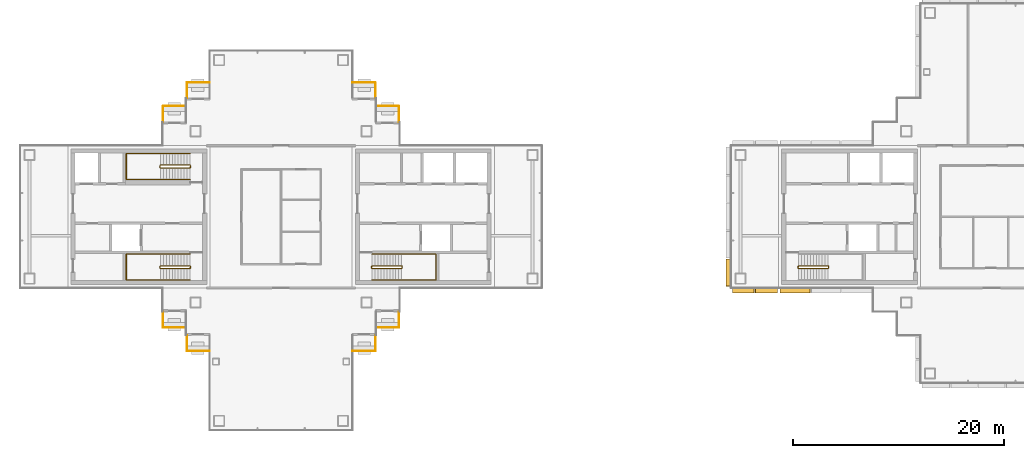
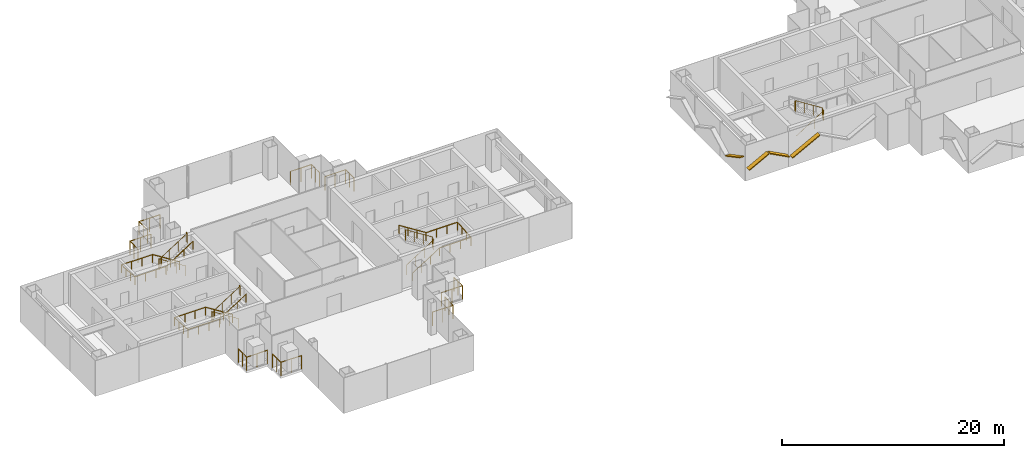
# One storey, part 14 of 17: 15 railings, 4 shading devices.
"""IFC4 building model written with IfcOpenShell, lengths in metres."""

from ifc_helpers import new_model, si_unit, direction, frame, origin, origin_2d, place, context, subcontext, project, spatial, rectangle, circle, extrude, material, material_profile, profile_set, type_object, element, save


model = new_model("IFC4")

# Units and contexts
model_context = context("Model", 3, precision=1e-05, world=origin(), true_north=direction((0.0, 1.0)))
body_context = subcontext(model_context, "Body", "Model", "MODEL_VIEW")
ifc_project = project(units=[si_unit("LENGTHUNIT", "METRE"), si_unit("AREAUNIT", "SQUARE_METRE"), si_unit("VOLUMEUNIT", "CUBIC_METRE"), si_unit("PLANEANGLEUNIT", "RADIAN"), si_unit("MASSUNIT", "GRAM", prefix="KILO")], contexts=[model_context])

# Site, building, storey
site_placement = place(None, origin())
site = spatial("IfcSite", under=ifc_project, at=site_placement, CompositionType="ELEMENT")
building_placement = place(site_placement, origin())
building = spatial("IfcBuilding", under=site, at=building_placement, Name="Shamsa Quay Exchange Towers", CompositionType="ELEMENT")
storey_placement = place(building_placement, frame((0.0, 0.0, 217.800048828125)))
storey = spatial("IfcBuildingStorey", under=building, at=storey_placement, Name="L52", CompositionType="ELEMENT", Elevation=217.800048828125)

# Railings
ifc_material_1 = material(Name="Steel S355, black powder-coated", Category="steel")
railing_type_1 = type_object("IfcRailingType", Name="BALCONY GUARD 1500", PredefinedType="GUARDRAIL", material=ifc_material_1)
for number, where, name in (
    (1, (-22.550048828125, 9.02099609375, 0.0), "Balcony guard T1-PKEN L52"),
    (2, (-24.800048828125, 11.27099609375, 0.0), "Balcony guard T1-PKEN L52"),
):
    element("IfcRailing", number, at=place(storey_placement, frame(where)), inside=storey, type_object=railing_type_1, Name=name, PredefinedType="GUARDRAIL", context=body_context, shape_type="SweptSolid", body=[
        extrude(circle(Radius=0.02392578125, at=origin_2d()), frame((0.0, 0.0, 1.47607421875), z_axis=(0.0, 1.0, 0.0), x_axis=(-1.0, 0.0, 0.0)), (0.0, 0.0, 1.0), 1.47900390625),
        extrude(circle(Radius=0.02392578125, at=origin_2d()), frame((0.0, 1.47900390625, 1.47607421875), z_axis=(-1.0, 0.0, 0.0), x_axis=(0.0, -1.0, 0.0)), (0.0, 0.0, 1.0), 2.161865234375),
        extrude(circle(Radius=0.02099609375, at=origin_2d()), origin(), (0.0, 0.0, 1.0), 1.451904296875),
        extrude(circle(Radius=0.02099609375, at=origin_2d()), frame((0.0, 0.739501953125, 0.0)), (0.0, 0.0, 1.0), 1.451904296875),
        extrude(circle(Radius=0.02099609375, at=origin_2d()), frame((0.0, 1.47900390625, 0.0)), (0.0, 0.0, 1.0), 1.451904296875),
        extrude(circle(Radius=0.02099609375, at=origin_2d()), frame((-1.0810546875, 1.47900390625, 0.0)), (0.0, 0.0, 1.0), 1.451904296875),
        extrude(circle(Radius=0.02099609375, at=origin_2d()), frame((-2.161865234375, 1.47900390625, 0.0)), (0.0, 0.0, 1.0), 1.451904296875),
    ])
for number, where, name in (
    (3, (-24.7119140625, -10.5, 0.0), "Balcony guard T1-PKES L52"),
    (4, (-26.9619140625, -12.75, 0.0), "Balcony guard T1-PKES L52"),
):
    element("IfcRailing", number, at=place(storey_placement, frame(where)), inside=storey, type_object=railing_type_1, Name=name, PredefinedType="GUARDRAIL", context=body_context, shape_type="SweptSolid", body=[
        extrude(circle(Radius=0.02392578125, at=origin_2d()), frame((0.0, 0.0, 1.47607421875), z_axis=(1.0, 0.0, 0.0), x_axis=(0.0, 1.0, 0.0)), (0.0, 0.0, 1.0), 2.161865234375),
        extrude(circle(Radius=0.02392578125, at=origin_2d()), frame((2.161865234375, 0.0, 1.47607421875), z_axis=(0.0, 1.0, 0.0), x_axis=(-1.0, 0.0, 0.0)), (0.0, 0.0, 1.0), 1.47900390625),
        extrude(circle(Radius=0.02099609375, at=origin_2d()), origin(), (0.0, 0.0, 1.0), 1.451904296875),
        extrude(circle(Radius=0.02099609375, at=origin_2d()), frame((1.0810546875, 0.0, 0.0)), (0.0, 0.0, 1.0), 1.451904296875),
        extrude(circle(Radius=0.02099609375, at=origin_2d()), frame((2.161865234375, 0.0, 0.0)), (0.0, 0.0, 1.0), 1.451904296875),
        extrude(circle(Radius=0.02099609375, at=origin_2d()), frame((2.161865234375, 0.739501953125, 0.0)), (0.0, 0.0, 1.0), 1.451904296875),
        extrude(circle(Radius=0.02099609375, at=origin_2d()), frame((2.161865234375, 1.47900390625, 0.0)), (0.0, 0.0, 1.0), 1.451904296875),
    ])
for number, where, name in (
    (5, (-40.5380859375, 12.75, 0.0), "Balcony guard T1-PKWN L52"),
    (6, (-42.7880859375, 10.5, 0.0), "Balcony guard T1-PKWN L52"),
):
    element("IfcRailing", number, at=place(storey_placement, frame(where)), inside=storey, type_object=railing_type_1, Name=name, PredefinedType="GUARDRAIL", context=body_context, shape_type="SweptSolid", body=[
        extrude(circle(Radius=0.02392578125, at=origin_2d()), frame((0.0, 0.0, 1.47607421875), z_axis=(-1.0, 0.0, 0.0), x_axis=(0.0, -1.0, 0.0)), (0.0, 0.0, 1.0), 2.161865234375),
        extrude(circle(Radius=0.02392578125, at=origin_2d()), frame((-2.161865234375, 0.0, 1.47607421875), z_axis=(0.0, -1.0, 0.0), x_axis=(1.0, 0.0, 0.0)), (0.0, 0.0, 1.0), 1.47900390625),
        extrude(circle(Radius=0.02099609375, at=origin_2d()), origin(), (0.0, 0.0, 1.0), 1.451904296875),
        extrude(circle(Radius=0.02099609375, at=origin_2d()), frame((-1.0810546875, 0.0, 0.0)), (0.0, 0.0, 1.0), 1.451904296875),
        extrude(circle(Radius=0.02099609375, at=origin_2d()), frame((-2.161865234375, 0.0, 0.0)), (0.0, 0.0, 1.0), 1.451904296875),
        extrude(circle(Radius=0.02099609375, at=origin_2d()), frame((-2.161865234375, -0.739501953125, 0.0)), (0.0, 0.0, 1.0), 1.451904296875),
        extrude(circle(Radius=0.02099609375, at=origin_2d()), frame((-2.161865234375, -1.47900390625, 0.0)), (0.0, 0.0, 1.0), 1.451904296875),
    ])
for number, where, name in (
    (7, (-44.949951171875, -9.02099609375, 0.0), "Balcony guard T1-PKWS L52"),
    (8, (-42.699951171875, -11.27099609375, 0.0), "Balcony guard T1-PKWS L52"),
):
    element("IfcRailing", number, at=place(storey_placement, frame(where)), inside=storey, type_object=railing_type_1, Name=name, PredefinedType="GUARDRAIL", context=body_context, shape_type="SweptSolid", body=[
        extrude(circle(Radius=0.02392578125, at=origin_2d()), frame((0.0, 0.0, 1.47607421875), z_axis=(0.0, -1.0, 0.0), x_axis=(1.0, 0.0, 0.0)), (0.0, 0.0, 1.0), 1.47900390625),
        extrude(circle(Radius=0.02392578125, at=origin_2d()), frame((0.0, -1.47900390625, 1.47607421875), z_axis=(1.0, 0.0, 0.0), x_axis=(0.0, 1.0, 0.0)), (0.0, 0.0, 1.0), 2.161865234375),
        extrude(circle(Radius=0.02099609375, at=origin_2d()), origin(), (0.0, 0.0, 1.0), 1.451904296875),
        extrude(circle(Radius=0.02099609375, at=origin_2d()), frame((0.0, -0.739501953125, 0.0)), (0.0, 0.0, 1.0), 1.451904296875),
        extrude(circle(Radius=0.02099609375, at=origin_2d()), frame((0.0, -1.47900390625, 0.0)), (0.0, 0.0, 1.0), 1.451904296875),
        extrude(circle(Radius=0.02099609375, at=origin_2d()), frame((1.0810546875, -1.47900390625, 0.0)), (0.0, 0.0, 1.0), 1.451904296875),
        extrude(circle(Radius=0.02099609375, at=origin_2d()), frame((2.161865234375, -1.47900390625, 0.0)), (0.0, 0.0, 1.0), 1.451904296875),
    ])

# Shading devices
ifc_material_2 = material(Name="Aluminium EN AW-6063 T6, black anodised", Category="aluminium")
ifc_material_profile = material_profile(ifc_material_2, rectangle(XDim=0.449951171875, YDim=0.10009765625, at=origin_2d()), Name="FIN450x100")
ifc_profile_set = profile_set([ifc_material_profile], Name="Aluminium EN AW-6063 T6, black anodised")
shading_device_type = type_object("IfcShadingDeviceType", Name="FIN 450x100 BLACK ALUMINIUM", PredefinedType="USERDEFINED", material=ifc_profile_set)
shading_device_1_placement = place(storey_placement, frame((8.735107421875, -4.010009765625, 0.911376953125), z_axis=(0.0, -0.882944327895, 0.469477703238), x_axis=(1.0, 0.0, 0.0)))
element("IfcShadingDevice", 9, at=shading_device_1_placement, inside=storey, type_object=shading_device_type, Name="FIN T2 chevron rib", ObjectType="FIN", PredefinedType="USERDEFINED", context=body_context, shape_type="SweptSolid", body=[
    extrude(rectangle(XDim=0.449951171875, YDim=0.10009765625, at=origin_2d()), origin(), (0.0, 0.0, 1.0), 2.933349609375),
])
for number, where, z_axis, x_axis, name in (
    (10, (9.14990234375, -7.014892578125, 1.054931640625), (0.882937310539, 0.0, 0.469490900507), (0.0, 1.0, 0.0), "FIN T2 chevron rib"),
    (11, (11.300048828125, -7.014892578125, 2.14501953125), (0.882937310539, 0.0, -0.469490900507), (0.0, 1.0, 0.0), "FIN T2 chevron rib"),
):
    element("IfcShadingDevice", number, at=place(storey_placement, frame(where, z_axis=z_axis, x_axis=x_axis)), inside=storey, type_object=shading_device_type, Name=name, ObjectType="FIN", PredefinedType="USERDEFINED", context=body_context, shape_type="SweptSolid", body=[
        extrude(rectangle(XDim=0.449951171875, YDim=0.10009765625, at=origin_2d()), origin(), (0.0, 0.0, 1.0), 2.32177734375),
    ])
shading_device_2_placement = place(storey_placement, frame((13.64990234375, -7.01904296875, 0.84228515625), z_axis=(0.882953107739, 0.0, 0.469461190658), x_axis=(0.0, 1.0, 0.0)))
element("IfcShadingDevice", 12, at=shading_device_2_placement, inside=storey, type_object=shading_device_type, Name="FIN T2 chevron rib", ObjectType="FIN", PredefinedType="USERDEFINED", context=body_context, shape_type="SweptSolid", body=[
    extrude(rectangle(XDim=0.449951171875, YDim=0.10009765625, at=origin_2d()), origin(), (0.0, 0.0, 1.0), 3.22802734375),
])

# Railings
ifc_material_3 = material(Name="Stainless steel", Category="steel")
railing_type_2 = type_object("IfcRailingType", Name="STAIR GUARD 1100", PredefinedType="GUARDRAIL", material=ifc_material_3)
railing_1_placement = place(storey_placement, frame((-25.10009765625, -4.89990234375, 0.17724609375)))
element("IfcRailing", 13, at=railing_1_placement, inside=storey, type_object=railing_type_2, Name="L52 ST1 stair guard 1", PredefinedType="GUARDRAIL", context=body_context, shape_type="SweptSolid", body=[
    extrude(circle(Radius=0.02392578125, at=origin_2d()), frame((0.0, 0.0, 1.076171875), z_axis=(0.844908973607, 0.0, 0.534910110503), x_axis=(0.0, 1.0, 0.0)), (0.0, 0.0, 1.0), 3.31396484375),
    extrude(circle(Radius=0.02392578125, at=origin_2d()), frame((2.800048828125, 0.0, 2.8486328125), z_axis=(0.708833529934, 0.705375805398, 0.0), x_axis=(-0.705375805398, 0.708833529934, 0.0)), (0.0, 0.0, 1.0), 0.070556640625),
    extrude(circle(Radius=0.02392578125, at=origin_2d()), frame((2.85009765625, 0.0498046875, 2.8486328125), z_axis=(0.0, 1.0, 0.0), x_axis=(-1.0, 0.0, 0.0)), (0.0, 0.0, 1.0), 0.150146484375),
    extrude(circle(Radius=0.02392578125, at=origin_2d()), frame((2.85009765625, 0.199951171875, 2.8486328125), z_axis=(-0.262233686654, 0.262233686654, 0.928691007369), x_axis=(-0.707106781187, -0.707106781187, 0.0)), (0.0, 0.0, 1.0), 0.19091796875),
    extrude(circle(Radius=0.02392578125, at=origin_2d()), frame((2.800048828125, 0.25, 3.02587890625), z_axis=(-0.844908973607, 0.0, 0.534910110503), x_axis=(0.0, -1.0, 0.0)), (0.0, 0.0, 1.0), 3.31396484375),
    extrude(circle(Radius=0.02392578125, at=origin_2d()), frame((0.0, 0.25, 4.798828125), z_axis=(-0.24142163986, -0.970420317083, 0.0), x_axis=(0.970420317083, -0.24142163986, 0.0)), (0.0, 0.0, 1.0), 0.206298828125),
    extrude(circle(Radius=0.02392578125, at=origin_2d()), frame((-0.0498046875, 0.0498046875, 4.798828125), z_axis=(0.0, 1.0, 0.0), x_axis=(-1.0, 0.0, 0.0)), (0.0, 0.0, 1.0), 0.150146484375),
    extrude(circle(Radius=0.02099609375, at=origin_2d()), origin(), (0.0, 0.0, 1.0), 1.052001953125),
    extrude(circle(Radius=0.02099609375, at=origin_2d()), frame((0.933349609375, 0.0, 0.5908203125)), (0.0, 0.0, 1.0), 1.052001953125),
    extrude(circle(Radius=0.02099609375, at=origin_2d()), frame((1.86669921875, 0.0, 1.181884765625)), (0.0, 0.0, 1.0), 1.052001953125),
    extrude(circle(Radius=0.02099609375, at=origin_2d()), frame((2.800048828125, 0.0, 1.772705078125)), (0.0, 0.0, 1.0), 1.052001953125),
    extrude(circle(Radius=0.02099609375, at=origin_2d()), frame((2.85009765625, 0.0498046875, 1.772705078125)), (0.0, 0.0, 1.0), 1.052001953125),
    extrude(circle(Radius=0.02099609375, at=origin_2d()), frame((2.85009765625, 0.199951171875, 1.772705078125)), (0.0, 0.0, 1.0), 1.052001953125),
    extrude(circle(Radius=0.02099609375, at=origin_2d()), frame((2.800048828125, 0.25, 1.949951171875)), (0.0, 0.0, 1.0), 1.052001953125),
    extrude(circle(Radius=0.02099609375, at=origin_2d()), frame((1.86669921875, 0.25, 2.540771484375)), (0.0, 0.0, 1.0), 1.052001953125),
    extrude(circle(Radius=0.02099609375, at=origin_2d()), frame((0.933349609375, 0.25, 3.1318359375)), (0.0, 0.0, 1.0), 1.052001953125),
    extrude(circle(Radius=0.02099609375, at=origin_2d()), frame((0.0, 0.25, 3.72265625)), (0.0, 0.0, 1.0), 1.052001953125),
    extrude(circle(Radius=0.02099609375, at=origin_2d()), frame((-0.0498046875, 0.0498046875, 3.72265625)), (0.0, 0.0, 1.0), 1.052001953125),
    extrude(circle(Radius=0.02099609375, at=origin_2d()), frame((-0.0498046875, 0.199951171875, 3.72265625)), (0.0, 0.0, 1.0), 1.052001953125),
])
railing_2_placement = place(storey_placement, frame((-42.39990234375, -4.64990234375, 0.17724609375)))
element("IfcRailing", 14, at=railing_2_placement, inside=storey, type_object=railing_type_2, Name="L52 ST2 stair guard 1", PredefinedType="GUARDRAIL", context=body_context, shape_type="SweptSolid", body=[
    extrude(circle(Radius=0.02392578125, at=origin_2d()), frame((0.0, 0.0, 1.076171875), z_axis=(-0.844908973607, 0.0, 0.534910110503), x_axis=(0.0, -1.0, 0.0)), (0.0, 0.0, 1.0), 3.31396484375),
    extrude(circle(Radius=0.02392578125, at=origin_2d()), frame((-2.800048828125, 0.0, 2.8486328125), z_axis=(-0.707106781187, -0.707106781187, 0.0), x_axis=(0.707106781187, -0.707106781187, 0.0)), (0.0, 0.0, 1.0), 0.07080078125),
    extrude(circle(Radius=0.02392578125, at=origin_2d()), frame((-2.85009765625, -0.050048828125, 2.8486328125), z_axis=(0.0, -1.0, 0.0), x_axis=(1.0, 0.0, 0.0)), (0.0, 0.0, 1.0), 0.150146484375),
    extrude(circle(Radius=0.02392578125, at=origin_2d()), frame((-2.85009765625, -0.2001953125, 2.8486328125), z_axis=(0.262321481514, -0.261041864531, 0.929001929653), x_axis=(0.705375805398, 0.708833529934, 0.0)), (0.0, 0.0, 1.0), 0.190673828125),
    extrude(circle(Radius=0.02392578125, at=origin_2d()), frame((-2.800048828125, -0.25, 3.02587890625), z_axis=(0.844908973607, 0.0, 0.534910110503), x_axis=(0.0, 1.0, 0.0)), (0.0, 0.0, 1.0), 3.31396484375),
    extrude(circle(Radius=0.02392578125, at=origin_2d()), frame((0.0, -0.25, 4.798828125), z_axis=(0.241699205484, 0.970351222016, 0.0), x_axis=(-0.970351222016, 0.241699205484, 0.0)), (0.0, 0.0, 1.0), 0.2060546875),
    extrude(circle(Radius=0.02392578125, at=origin_2d()), frame((0.0498046875, -0.050048828125, 4.798828125), z_axis=(0.0, -1.0, 0.0), x_axis=(1.0, 0.0, 0.0)), (0.0, 0.0, 1.0), 0.150146484375),
    extrude(circle(Radius=0.02099609375, at=origin_2d()), origin(), (0.0, 0.0, 1.0), 1.052001953125),
    extrude(circle(Radius=0.02099609375, at=origin_2d()), frame((-0.933349609375, 0.0, 0.5908203125)), (0.0, 0.0, 1.0), 1.052001953125),
    extrude(circle(Radius=0.02099609375, at=origin_2d()), frame((-1.86669921875, 0.0, 1.181884765625)), (0.0, 0.0, 1.0), 1.052001953125),
    extrude(circle(Radius=0.02099609375, at=origin_2d()), frame((-2.800048828125, 0.0, 1.772705078125)), (0.0, 0.0, 1.0), 1.052001953125),
    extrude(circle(Radius=0.02099609375, at=origin_2d()), frame((-2.85009765625, -0.050048828125, 1.772705078125)), (0.0, 0.0, 1.0), 1.052001953125),
    extrude(circle(Radius=0.02099609375, at=origin_2d()), frame((-2.85009765625, -0.2001953125, 1.772705078125)), (0.0, 0.0, 1.0), 1.052001953125),
    extrude(circle(Radius=0.02099609375, at=origin_2d()), frame((-2.800048828125, -0.25, 1.949951171875)), (0.0, 0.0, 1.0), 1.052001953125),
    extrude(circle(Radius=0.02099609375, at=origin_2d()), frame((-1.86669921875, -0.25, 2.540771484375)), (0.0, 0.0, 1.0), 1.052001953125),
    extrude(circle(Radius=0.02099609375, at=origin_2d()), frame((-0.933349609375, -0.25, 3.1318359375)), (0.0, 0.0, 1.0), 1.052001953125),
    extrude(circle(Radius=0.02099609375, at=origin_2d()), frame((0.0, -0.25, 3.72265625)), (0.0, 0.0, 1.0), 1.052001953125),
    extrude(circle(Radius=0.02099609375, at=origin_2d()), frame((0.0498046875, -0.050048828125, 3.72265625)), (0.0, 0.0, 1.0), 1.052001953125),
    extrude(circle(Radius=0.02099609375, at=origin_2d()), frame((0.0498046875, -0.2001953125, 3.72265625)), (0.0, 0.0, 1.0), 1.052001953125),
])
railing_3_placement = place(storey_placement, frame((-42.39990234375, 4.89990234375, 0.17724609375)))
element("IfcRailing", 15, at=railing_3_placement, inside=storey, type_object=railing_type_2, Name="L52 ST3 stair guard 1", PredefinedType="GUARDRAIL", context=body_context, shape_type="SweptSolid", body=[
    extrude(circle(Radius=0.02392578125, at=origin_2d()), frame((0.0, 0.0, 1.076171875), z_axis=(-0.844908973607, 0.0, 0.534910110503), x_axis=(0.0, -1.0, 0.0)), (0.0, 0.0, 1.0), 3.31396484375),
    extrude(circle(Radius=0.02392578125, at=origin_2d()), frame((-2.800048828125, 0.0, 2.8486328125), z_axis=(-0.708833529934, -0.705375805398, 0.0), x_axis=(0.705375805398, -0.708833529934, 0.0)), (0.0, 0.0, 1.0), 0.070556640625),
    extrude(circle(Radius=0.02392578125, at=origin_2d()), frame((-2.85009765625, -0.0498046875, 2.8486328125), z_axis=(0.0, -1.0, 0.0), x_axis=(1.0, 0.0, 0.0)), (0.0, 0.0, 1.0), 0.150146484375),
    extrude(circle(Radius=0.02392578125, at=origin_2d()), frame((-2.85009765625, -0.199951171875, 2.8486328125), z_axis=(0.262233686654, -0.262233686654, 0.928691007369), x_axis=(0.707106781187, 0.707106781187, 0.0)), (0.0, 0.0, 1.0), 0.19091796875),
    extrude(circle(Radius=0.02392578125, at=origin_2d()), frame((-2.800048828125, -0.25, 3.02587890625), z_axis=(0.844908973607, 0.0, 0.534910110503), x_axis=(0.0, 1.0, 0.0)), (0.0, 0.0, 1.0), 3.31396484375),
    extrude(circle(Radius=0.02392578125, at=origin_2d()), frame((0.0, -0.25, 4.798828125), z_axis=(0.24142163986, 0.970420317083, 0.0), x_axis=(-0.970420317083, 0.24142163986, 0.0)), (0.0, 0.0, 1.0), 0.206298828125),
    extrude(circle(Radius=0.02392578125, at=origin_2d()), frame((0.0498046875, -0.0498046875, 4.798828125), z_axis=(0.0, -1.0, 0.0), x_axis=(1.0, 0.0, 0.0)), (0.0, 0.0, 1.0), 0.150146484375),
    extrude(circle(Radius=0.02099609375, at=origin_2d()), origin(), (0.0, 0.0, 1.0), 1.052001953125),
    extrude(circle(Radius=0.02099609375, at=origin_2d()), frame((-0.933349609375, 0.0, 0.5908203125)), (0.0, 0.0, 1.0), 1.052001953125),
    extrude(circle(Radius=0.02099609375, at=origin_2d()), frame((-1.86669921875, 0.0, 1.181884765625)), (0.0, 0.0, 1.0), 1.052001953125),
    extrude(circle(Radius=0.02099609375, at=origin_2d()), frame((-2.800048828125, 0.0, 1.772705078125)), (0.0, 0.0, 1.0), 1.052001953125),
    extrude(circle(Radius=0.02099609375, at=origin_2d()), frame((-2.85009765625, -0.0498046875, 1.772705078125)), (0.0, 0.0, 1.0), 1.052001953125),
    extrude(circle(Radius=0.02099609375, at=origin_2d()), frame((-2.85009765625, -0.199951171875, 1.772705078125)), (0.0, 0.0, 1.0), 1.052001953125),
    extrude(circle(Radius=0.02099609375, at=origin_2d()), frame((-2.800048828125, -0.25, 1.949951171875)), (0.0, 0.0, 1.0), 1.052001953125),
    extrude(circle(Radius=0.02099609375, at=origin_2d()), frame((-1.86669921875, -0.25, 2.540771484375)), (0.0, 0.0, 1.0), 1.052001953125),
    extrude(circle(Radius=0.02099609375, at=origin_2d()), frame((-0.933349609375, -0.25, 3.1318359375)), (0.0, 0.0, 1.0), 1.052001953125),
    extrude(circle(Radius=0.02099609375, at=origin_2d()), frame((0.0, -0.25, 3.72265625)), (0.0, 0.0, 1.0), 1.052001953125),
    extrude(circle(Radius=0.02099609375, at=origin_2d()), frame((0.0498046875, -0.0498046875, 3.72265625)), (0.0, 0.0, 1.0), 1.052001953125),
    extrude(circle(Radius=0.02099609375, at=origin_2d()), frame((0.0498046875, -0.199951171875, 3.72265625)), (0.0, 0.0, 1.0), 1.052001953125),
])
railing_4_placement = place(storey_placement, frame((15.39990234375, -4.89990234375, 0.17724609375)))
element("IfcRailing", 16, at=railing_4_placement, inside=storey, type_object=railing_type_2, Name="L52 ST4 stair guard 1", PredefinedType="GUARDRAIL", context=body_context, shape_type="SweptSolid", body=[
    extrude(circle(Radius=0.02392578125, at=origin_2d()), frame((0.0, 0.0, 1.076171875), z_axis=(0.844908973607, 0.0, 0.534910110503), x_axis=(0.0, 1.0, 0.0)), (0.0, 0.0, 1.0), 3.31396484375),
    extrude(circle(Radius=0.02392578125, at=origin_2d()), frame((2.800048828125, 0.0, 2.8486328125), z_axis=(0.708833529934, 0.705375805398, 0.0), x_axis=(-0.705375805398, 0.708833529934, 0.0)), (0.0, 0.0, 1.0), 0.070556640625),
    extrude(circle(Radius=0.02392578125, at=origin_2d()), frame((2.85009765625, 0.0498046875, 2.8486328125), z_axis=(0.0, 1.0, 0.0), x_axis=(-1.0, 0.0, 0.0)), (0.0, 0.0, 1.0), 0.150146484375),
    extrude(circle(Radius=0.02392578125, at=origin_2d()), frame((2.85009765625, 0.199951171875, 2.8486328125), z_axis=(-0.262233686654, 0.262233686654, 0.928691007369), x_axis=(-0.707106781187, -0.707106781187, 0.0)), (0.0, 0.0, 1.0), 0.19091796875),
    extrude(circle(Radius=0.02392578125, at=origin_2d()), frame((2.800048828125, 0.25, 3.02587890625), z_axis=(-0.844908973607, 0.0, 0.534910110503), x_axis=(0.0, -1.0, 0.0)), (0.0, 0.0, 1.0), 3.31396484375),
    extrude(circle(Radius=0.02392578125, at=origin_2d()), frame((0.0, 0.25, 4.798828125), z_axis=(-0.24142163986, -0.970420317083, 0.0), x_axis=(0.970420317083, -0.24142163986, 0.0)), (0.0, 0.0, 1.0), 0.206298828125),
    extrude(circle(Radius=0.02392578125, at=origin_2d()), frame((-0.0498046875, 0.0498046875, 4.798828125), z_axis=(0.0, 1.0, 0.0), x_axis=(-1.0, 0.0, 0.0)), (0.0, 0.0, 1.0), 0.150146484375),
    extrude(circle(Radius=0.02099609375, at=origin_2d()), origin(), (0.0, 0.0, 1.0), 1.052001953125),
    extrude(circle(Radius=0.02099609375, at=origin_2d()), frame((0.933349609375, 0.0, 0.5908203125)), (0.0, 0.0, 1.0), 1.052001953125),
    extrude(circle(Radius=0.02099609375, at=origin_2d()), frame((1.86669921875, 0.0, 1.181884765625)), (0.0, 0.0, 1.0), 1.052001953125),
    extrude(circle(Radius=0.02099609375, at=origin_2d()), frame((2.800048828125, 0.0, 1.772705078125)), (0.0, 0.0, 1.0), 1.052001953125),
    extrude(circle(Radius=0.02099609375, at=origin_2d()), frame((2.85009765625, 0.0498046875, 1.772705078125)), (0.0, 0.0, 1.0), 1.052001953125),
    extrude(circle(Radius=0.02099609375, at=origin_2d()), frame((2.85009765625, 0.199951171875, 1.772705078125)), (0.0, 0.0, 1.0), 1.052001953125),
    extrude(circle(Radius=0.02099609375, at=origin_2d()), frame((2.800048828125, 0.25, 1.949951171875)), (0.0, 0.0, 1.0), 1.052001953125),
    extrude(circle(Radius=0.02099609375, at=origin_2d()), frame((1.86669921875, 0.25, 2.540771484375)), (0.0, 0.0, 1.0), 1.052001953125),
    extrude(circle(Radius=0.02099609375, at=origin_2d()), frame((0.933349609375, 0.25, 3.1318359375)), (0.0, 0.0, 1.0), 1.052001953125),
    extrude(circle(Radius=0.02099609375, at=origin_2d()), frame((0.0, 0.25, 3.72265625)), (0.0, 0.0, 1.0), 1.052001953125),
    extrude(circle(Radius=0.02099609375, at=origin_2d()), frame((-0.0498046875, 0.0498046875, 3.72265625)), (0.0, 0.0, 1.0), 1.052001953125),
    extrude(circle(Radius=0.02099609375, at=origin_2d()), frame((-0.0498046875, 0.199951171875, 3.72265625)), (0.0, 0.0, 1.0), 1.052001953125),
])
railing_type_3 = type_object("IfcRailingType", Name="STAIR HANDRAIL 900", PredefinedType="HANDRAIL", material=ifc_material_3)
railing_5_placement = place(storey_placement, frame((-25.10009765625, -6.0, 0.17724609375)))
element("IfcRailing", 17, at=railing_5_placement, inside=storey, type_object=railing_type_3, Name="L52 ST1 stair handrail 1", PredefinedType="HANDRAIL", context=body_context, shape_type="SweptSolid", body=[
    extrude(circle(Radius=0.02392578125, at=origin_2d()), frame((0.0, 0.0, 0.8759765625), z_axis=(0.844908973607, 0.0, 0.534910110503), x_axis=(0.0, 1.0, 0.0)), (0.0, 0.0, 1.0), 3.31396484375),
    extrude(circle(Radius=0.02392578125, at=origin_2d()), frame((2.800048828125, 0.0, 2.6484375), z_axis=(1.0, 0.0, 0.0), x_axis=(0.0, 1.0, 0.0)), (0.0, 0.0, 1.0), 3.25),
    extrude(circle(Radius=0.02392578125, at=origin_2d()), frame((6.050048828125, 0.0, 2.6484375), z_axis=(0.0, 0.997393199914, 0.07215819264), x_axis=(-1.0, 0.0, 0.0)), (0.0, 0.0, 1.0), 2.456298828125),
    extrude(circle(Radius=0.02392578125, at=origin_2d()), frame((6.050048828125, 2.449951171875, 2.82568359375), z_axis=(-1.0, 0.0, 0.0), x_axis=(0.0, -1.0, 0.0)), (0.0, 0.0, 1.0), 3.25),
    extrude(circle(Radius=0.02392578125, at=origin_2d()), frame((2.800048828125, 2.449951171875, 2.82568359375), z_axis=(-0.844908973607, 0.0, 0.534910110503), x_axis=(0.0, -1.0, 0.0)), (0.0, 0.0, 1.0), 3.31396484375),
    extrude(circle(Radius=0.02099609375, at=origin_2d()), origin(), (0.0, 0.0, 1.0), 0.851806640625),
    extrude(circle(Radius=0.02099609375, at=origin_2d()), frame((0.933349609375, 0.0, 0.5908203125)), (0.0, 0.0, 1.0), 0.851806640625),
    extrude(circle(Radius=0.02099609375, at=origin_2d()), frame((1.86669921875, 0.0, 1.181884765625)), (0.0, 0.0, 1.0), 0.851806640625),
    extrude(circle(Radius=0.02099609375, at=origin_2d()), frame((2.800048828125, 0.0, 1.772705078125)), (0.0, 0.0, 1.0), 0.851806640625),
    extrude(circle(Radius=0.02099609375, at=origin_2d()), frame((3.88330078125, 0.0, 1.772705078125)), (0.0, 0.0, 1.0), 0.851806640625),
    extrude(circle(Radius=0.02099609375, at=origin_2d()), frame((4.966796875, 0.0, 1.772705078125)), (0.0, 0.0, 1.0), 0.851806640625),
    extrude(circle(Radius=0.02099609375, at=origin_2d()), frame((6.050048828125, 0.0, 1.772705078125)), (0.0, 0.0, 1.0), 0.851806640625),
    extrude(circle(Radius=0.02099609375, at=origin_2d()), frame((6.050048828125, 0.816650390625, 1.831787109375)), (0.0, 0.0, 1.0), 0.851806640625),
    extrude(circle(Radius=0.02099609375, at=origin_2d()), frame((6.050048828125, 1.63330078125, 1.890869140625)), (0.0, 0.0, 1.0), 0.851806640625),
    extrude(circle(Radius=0.02099609375, at=origin_2d()), frame((6.050048828125, 2.449951171875, 1.949951171875)), (0.0, 0.0, 1.0), 0.851806640625),
    extrude(circle(Radius=0.02099609375, at=origin_2d()), frame((4.966796875, 2.449951171875, 1.949951171875)), (0.0, 0.0, 1.0), 0.851806640625),
    extrude(circle(Radius=0.02099609375, at=origin_2d()), frame((3.88330078125, 2.449951171875, 1.949951171875)), (0.0, 0.0, 1.0), 0.851806640625),
    extrude(circle(Radius=0.02099609375, at=origin_2d()), frame((2.800048828125, 2.449951171875, 1.949951171875)), (0.0, 0.0, 1.0), 0.851806640625),
    extrude(circle(Radius=0.02099609375, at=origin_2d()), frame((1.86669921875, 2.449951171875, 2.540771484375)), (0.0, 0.0, 1.0), 0.851806640625),
    extrude(circle(Radius=0.02099609375, at=origin_2d()), frame((0.933349609375, 2.449951171875, 3.1318359375)), (0.0, 0.0, 1.0), 0.851806640625),
    extrude(circle(Radius=0.02099609375, at=origin_2d()), frame((0.0, 2.449951171875, 3.72265625)), (0.0, 0.0, 1.0), 0.851806640625),
])
railing_6_placement = place(storey_placement, frame((-42.39990234375, -3.550048828125, 0.17724609375)))
element("IfcRailing", 18, at=railing_6_placement, inside=storey, type_object=railing_type_3, Name="L52 ST2 stair handrail 1", PredefinedType="HANDRAIL", context=body_context, shape_type="SweptSolid", body=[
    extrude(circle(Radius=0.02392578125, at=origin_2d()), frame((0.0, 0.0, 0.8759765625), z_axis=(-0.844908973607, 0.0, 0.534910110503), x_axis=(0.0, -1.0, 0.0)), (0.0, 0.0, 1.0), 3.31396484375),
    extrude(circle(Radius=0.02392578125, at=origin_2d()), frame((-2.800048828125, 0.0, 2.6484375), z_axis=(-1.0, 0.0, 0.0), x_axis=(0.0, -1.0, 0.0)), (0.0, 0.0, 1.0), 3.25),
    extrude(circle(Radius=0.02392578125, at=origin_2d()), frame((-6.050048828125, 0.0, 2.6484375), z_axis=(0.0, -0.997393199914, 0.07215819264), x_axis=(1.0, 0.0, 0.0)), (0.0, 0.0, 1.0), 2.456298828125),
    extrude(circle(Radius=0.02392578125, at=origin_2d()), frame((-6.050048828125, -2.449951171875, 2.82568359375), z_axis=(1.0, 0.0, 0.0), x_axis=(0.0, 1.0, 0.0)), (0.0, 0.0, 1.0), 3.25),
    extrude(circle(Radius=0.02392578125, at=origin_2d()), frame((-2.800048828125, -2.449951171875, 2.82568359375), z_axis=(0.844908973607, 0.0, 0.534910110503), x_axis=(0.0, 1.0, 0.0)), (0.0, 0.0, 1.0), 3.31396484375),
    extrude(circle(Radius=0.02099609375, at=origin_2d()), origin(), (0.0, 0.0, 1.0), 0.851806640625),
    extrude(circle(Radius=0.02099609375, at=origin_2d()), frame((-0.933349609375, 0.0, 0.5908203125)), (0.0, 0.0, 1.0), 0.851806640625),
    extrude(circle(Radius=0.02099609375, at=origin_2d()), frame((-1.86669921875, 0.0, 1.181884765625)), (0.0, 0.0, 1.0), 0.851806640625),
    extrude(circle(Radius=0.02099609375, at=origin_2d()), frame((-2.800048828125, 0.0, 1.772705078125)), (0.0, 0.0, 1.0), 0.851806640625),
    extrude(circle(Radius=0.02099609375, at=origin_2d()), frame((-3.88330078125, 0.0, 1.772705078125)), (0.0, 0.0, 1.0), 0.851806640625),
    extrude(circle(Radius=0.02099609375, at=origin_2d()), frame((-4.966796875, 0.0, 1.772705078125)), (0.0, 0.0, 1.0), 0.851806640625),
    extrude(circle(Radius=0.02099609375, at=origin_2d()), frame((-6.050048828125, 0.0, 1.772705078125)), (0.0, 0.0, 1.0), 0.851806640625),
    extrude(circle(Radius=0.02099609375, at=origin_2d()), frame((-6.050048828125, -0.816650390625, 1.831787109375)), (0.0, 0.0, 1.0), 0.851806640625),
    extrude(circle(Radius=0.02099609375, at=origin_2d()), frame((-6.050048828125, -1.63330078125, 1.890869140625)), (0.0, 0.0, 1.0), 0.851806640625),
    extrude(circle(Radius=0.02099609375, at=origin_2d()), frame((-6.050048828125, -2.449951171875, 1.949951171875)), (0.0, 0.0, 1.0), 0.851806640625),
    extrude(circle(Radius=0.02099609375, at=origin_2d()), frame((-4.966796875, -2.449951171875, 1.949951171875)), (0.0, 0.0, 1.0), 0.851806640625),
    extrude(circle(Radius=0.02099609375, at=origin_2d()), frame((-3.88330078125, -2.449951171875, 1.949951171875)), (0.0, 0.0, 1.0), 0.851806640625),
    extrude(circle(Radius=0.02099609375, at=origin_2d()), frame((-2.800048828125, -2.449951171875, 1.949951171875)), (0.0, 0.0, 1.0), 0.851806640625),
    extrude(circle(Radius=0.02099609375, at=origin_2d()), frame((-1.86669921875, -2.449951171875, 2.540771484375)), (0.0, 0.0, 1.0), 0.851806640625),
    extrude(circle(Radius=0.02099609375, at=origin_2d()), frame((-0.933349609375, -2.449951171875, 3.1318359375)), (0.0, 0.0, 1.0), 0.851806640625),
    extrude(circle(Radius=0.02099609375, at=origin_2d()), frame((0.0, -2.449951171875, 3.72265625)), (0.0, 0.0, 1.0), 0.851806640625),
])
railing_7_placement = place(storey_placement, frame((-42.39990234375, 6.0, 0.17724609375)))
element("IfcRailing", 19, at=railing_7_placement, inside=storey, type_object=railing_type_3, Name="L52 ST3 stair handrail 1", PredefinedType="HANDRAIL", context=body_context, shape_type="SweptSolid", body=[
    extrude(circle(Radius=0.02392578125, at=origin_2d()), frame((0.0, 0.0, 0.8759765625), z_axis=(-0.844908973607, 0.0, 0.534910110503), x_axis=(0.0, -1.0, 0.0)), (0.0, 0.0, 1.0), 3.31396484375),
    extrude(circle(Radius=0.02392578125, at=origin_2d()), frame((-2.800048828125, 0.0, 2.6484375), z_axis=(-1.0, 0.0, 0.0), x_axis=(0.0, -1.0, 0.0)), (0.0, 0.0, 1.0), 3.25),
    extrude(circle(Radius=0.02392578125, at=origin_2d()), frame((-6.050048828125, 0.0, 2.6484375), z_axis=(0.0, -0.997393199914, 0.07215819264), x_axis=(1.0, 0.0, 0.0)), (0.0, 0.0, 1.0), 2.456298828125),
    extrude(circle(Radius=0.02392578125, at=origin_2d()), frame((-6.050048828125, -2.449951171875, 2.82568359375), z_axis=(1.0, 0.0, 0.0), x_axis=(0.0, 1.0, 0.0)), (0.0, 0.0, 1.0), 3.25),
    extrude(circle(Radius=0.02392578125, at=origin_2d()), frame((-2.800048828125, -2.449951171875, 2.82568359375), z_axis=(0.844908973607, 0.0, 0.534910110503), x_axis=(0.0, 1.0, 0.0)), (0.0, 0.0, 1.0), 3.31396484375),
    extrude(circle(Radius=0.02099609375, at=origin_2d()), origin(), (0.0, 0.0, 1.0), 0.851806640625),
    extrude(circle(Radius=0.02099609375, at=origin_2d()), frame((-0.933349609375, 0.0, 0.5908203125)), (0.0, 0.0, 1.0), 0.851806640625),
    extrude(circle(Radius=0.02099609375, at=origin_2d()), frame((-1.86669921875, 0.0, 1.181884765625)), (0.0, 0.0, 1.0), 0.851806640625),
    extrude(circle(Radius=0.02099609375, at=origin_2d()), frame((-2.800048828125, 0.0, 1.772705078125)), (0.0, 0.0, 1.0), 0.851806640625),
    extrude(circle(Radius=0.02099609375, at=origin_2d()), frame((-3.88330078125, 0.0, 1.772705078125)), (0.0, 0.0, 1.0), 0.851806640625),
    extrude(circle(Radius=0.02099609375, at=origin_2d()), frame((-4.966796875, 0.0, 1.772705078125)), (0.0, 0.0, 1.0), 0.851806640625),
    extrude(circle(Radius=0.02099609375, at=origin_2d()), frame((-6.050048828125, 0.0, 1.772705078125)), (0.0, 0.0, 1.0), 0.851806640625),
    extrude(circle(Radius=0.02099609375, at=origin_2d()), frame((-6.050048828125, -0.816650390625, 1.831787109375)), (0.0, 0.0, 1.0), 0.851806640625),
    extrude(circle(Radius=0.02099609375, at=origin_2d()), frame((-6.050048828125, -1.63330078125, 1.890869140625)), (0.0, 0.0, 1.0), 0.851806640625),
    extrude(circle(Radius=0.02099609375, at=origin_2d()), frame((-6.050048828125, -2.449951171875, 1.949951171875)), (0.0, 0.0, 1.0), 0.851806640625),
    extrude(circle(Radius=0.02099609375, at=origin_2d()), frame((-4.966796875, -2.449951171875, 1.949951171875)), (0.0, 0.0, 1.0), 0.851806640625),
    extrude(circle(Radius=0.02099609375, at=origin_2d()), frame((-3.88330078125, -2.449951171875, 1.949951171875)), (0.0, 0.0, 1.0), 0.851806640625),
    extrude(circle(Radius=0.02099609375, at=origin_2d()), frame((-2.800048828125, -2.449951171875, 1.949951171875)), (0.0, 0.0, 1.0), 0.851806640625),
    extrude(circle(Radius=0.02099609375, at=origin_2d()), frame((-1.86669921875, -2.449951171875, 2.540771484375)), (0.0, 0.0, 1.0), 0.851806640625),
    extrude(circle(Radius=0.02099609375, at=origin_2d()), frame((-0.933349609375, -2.449951171875, 3.1318359375)), (0.0, 0.0, 1.0), 0.851806640625),
    extrude(circle(Radius=0.02099609375, at=origin_2d()), frame((0.0, -2.449951171875, 3.72265625)), (0.0, 0.0, 1.0), 0.851806640625),
])

save(model, "model.ifc")
